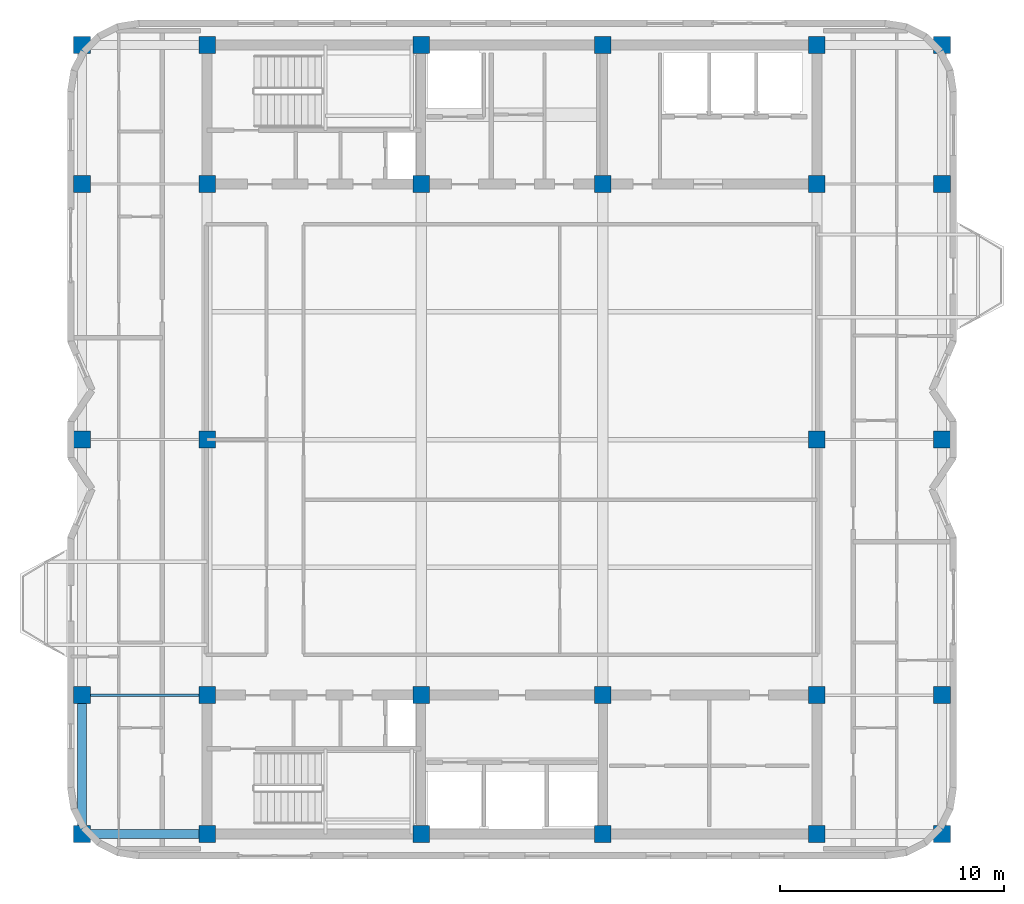
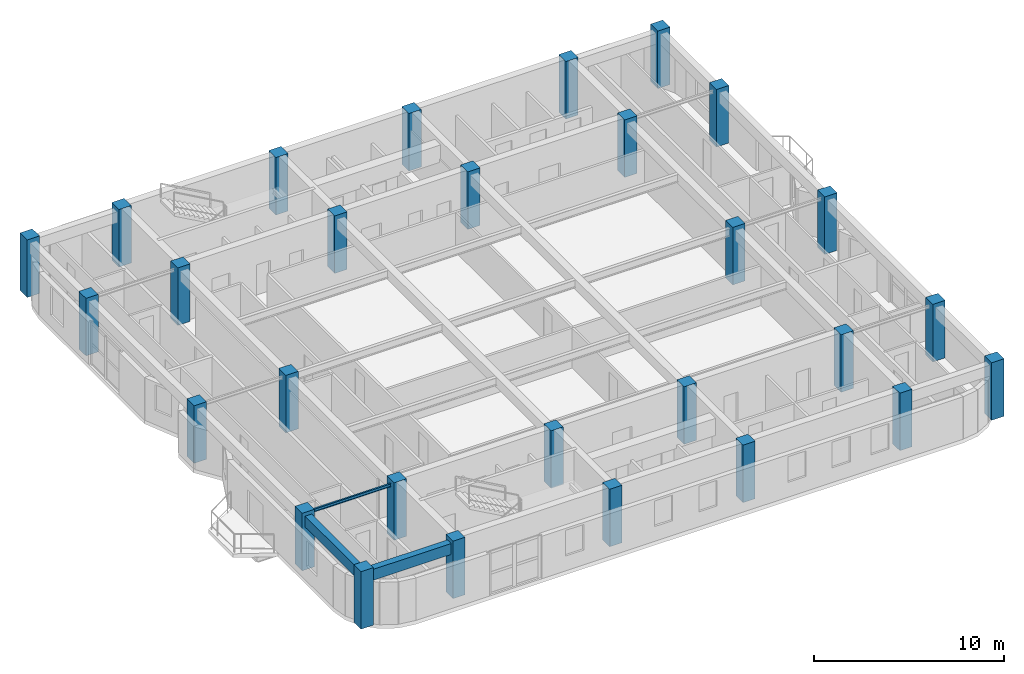
# One storey, part 1 of 11: 28 columns, 3 beams.
"""IFC4 building model written with IfcOpenShell, lengths in metres."""

import ifcopenshell
import ifcopenshell.guid

model = None  # the IFC model being written
_history = None  # IfcOwnerHistory: only IFC2X3 demands one
_inside = {}  # id of a spatial element -> (the spatial element, [elements in it])
_under = {}  # id of a project, library or spatial element -> (it, [spatial elements below it])
_declared = {}  # id of a project -> (the project, [libraries it declares])
_typed = {}  # id of a type object -> (the type object, [elements of that type])
_made_of = {}  # id of a material, layer set ... -> (it, [elements and type objects made of it])


def new_model(schema):
    """Start an empty IFC model of exactly this schema.

    Asked for "IFC4X3", IfcOpenShell would pick the latest addendum, in which some entities
    have other attributes; the version numbers below select the first issue.
    IFC2X3 requires an IfcOwnerHistory on every rooted entity: one is made here for all.
    """
    global model, _history
    if schema == "IFC4X3":
        model = ifcopenshell.file(schema_version=(4, 3, 0, 0))
    else:
        model = ifcopenshell.file(schema=schema)
    _inside.clear()
    _under.clear()
    _declared.clear()
    _typed.clear()
    _made_of.clear()
    _history = None
    if model.schema == "IFC2X3":
        org = make("IfcOrganization", Name="unknown")
        user = make(
            "IfcPersonAndOrganization",
            ThePerson=make("IfcPerson", FamilyName="unknown"),
            TheOrganization=org,
        )
        app = make(
            "IfcApplication",
            ApplicationDeveloper=org,
            Version="unknown",
            ApplicationFullName="unknown",
            ApplicationIdentifier="unknown",
        )
        _history = make(
            "IfcOwnerHistory",
            OwningUser=user,
            OwningApplication=app,
            ChangeAction="ADDED",
            CreationDate=0,
        )
    return model


def make(cls, **values):
    """One entity of the class cls with the attributes given. An attribute that is None is left unset."""
    return model.create_entity(
        cls, **{name: value for name, value in values.items() if value is not None}
    )


def rooted(cls, **values):
    """An entity with a GlobalId (a new one), such as an element, a storey or a relation."""
    return make(cls, GlobalId=ifcopenshell.guid.new(), OwnerHistory=_history, **values)


def si_unit(unit_type, name, prefix=None):
    """IfcSIUnit, for example si_unit("LENGTHUNIT", "METRE", prefix="MILLI")."""
    return make("IfcSIUnit", UnitType=unit_type, Prefix=prefix, Name=name)


def assignment(units):
    """IfcUnitAssignment: the units of a project."""
    return None if units is None else make("IfcUnitAssignment", Units=units)


def point(xyz):
    """IfcCartesianPoint."""
    return None if xyz is None else make("IfcCartesianPoint", Coordinates=xyz)


def direction(xyz):
    """IfcDirection."""
    return None if xyz is None else make("IfcDirection", DirectionRatios=xyz)


def frame(location, z_axis=None, x_axis=None):
    """IfcAxis2Placement3D, a coordinate frame: its origin and axes. An axis left out is left unset."""
    return make(
        "IfcAxis2Placement3D",
        Location=point(location),
        Axis=direction(z_axis),
        RefDirection=direction(x_axis),
    )


def frame_2d(location, x_axis=None):
    """IfcAxis2Placement2D, a coordinate frame in the plane: its origin and x axis."""
    return make(
        "IfcAxis2Placement2D", Location=point(location), RefDirection=direction(x_axis)
    )


def origin():
    """The frame at (0, 0, 0) with its axes left unset."""
    return frame((0.0, 0.0, 0.0))


def origin_2d():
    """The frame at (0, 0) in the plane with its x axis left unset."""
    return frame_2d((0.0, 0.0))


def place(relative_to, where):
    """IfcLocalPlacement: puts the frame where relative to a parent placement (None: the world)."""
    return make(
        "IfcLocalPlacement", PlacementRelTo=relative_to, RelativePlacement=where
    )


def context(
    kind, dimensions, precision=None, world=None, true_north=None, identifier=None
):
    """IfcGeometricRepresentationContext, for example the 3D "Model" context."""
    return make(
        "IfcGeometricRepresentationContext",
        ContextIdentifier=identifier,
        ContextType=kind,
        CoordinateSpaceDimension=dimensions,
        Precision=precision,
        WorldCoordinateSystem=world,
        TrueNorth=true_north,
    )


def subcontext(parent, identifier, kind, view, scale=None):
    """IfcGeometricRepresentationSubContext, for example "Body" below "Model"."""
    return make(
        "IfcGeometricRepresentationSubContext",
        ContextIdentifier=identifier,
        ContextType=kind,
        ParentContext=parent,
        TargetScale=scale,
        TargetView=view,
    )


def project(units=None, contexts=None):
    """IfcProject with its units and contexts."""
    return rooted(
        "IfcProject",
        Name="project",
        RepresentationContexts=contexts,
        UnitsInContext=assignment(units),
    )


def spatial(cls, under=None, at=None, **own):
    """A site, building, storey or space (cls), placed at a placement, below another one or the project."""
    s = rooted(cls, ObjectPlacement=at, **own)
    if under is not None:
        _under.setdefault(under.id(), (under, []))[1].append(s)
    return s


def profile(cls, at=None, kind="AREA", **sizes):
    """A parametric profile (cls). Its sizes go by their IFC names, for example OverallWidth=200.0."""
    return make(cls, ProfileType=kind, Position=at, **sizes)


def rectangle(**sizes):
    """IfcRectangleProfileDef."""
    return profile("IfcRectangleProfileDef", **sizes)


def i_section(**sizes):
    """IfcIShapeProfileDef."""
    return profile("IfcIShapeProfileDef", **sizes)


def extrude(swept, where, along, depth):
    """IfcExtrudedAreaSolid: the profile swept, set in the frame where, extruded along a direction by depth."""
    return make(
        "IfcExtrudedAreaSolid",
        SweptArea=swept,
        Position=where,
        ExtrudedDirection=direction(along),
        Depth=depth,
    )


def shape(context_of_items, identifier, shape_type, items):
    """IfcShapeRepresentation: the items that make up one representation, for example the "Body"."""
    return make(
        "IfcShapeRepresentation",
        ContextOfItems=context_of_items,
        RepresentationIdentifier=identifier,
        RepresentationType=shape_type,
        Items=items,
    )


def material(Name=None, Category=None):
    """IfcMaterial."""
    return make("IfcMaterial", Name=Name, Category=Category)


def material_profile(
    of_material, cross_section, Name=None, Category=None, Priority=None
):
    """IfcMaterialProfile: a cross section and its material."""
    return make(
        "IfcMaterialProfile",
        Name=Name,
        Material=of_material,
        Profile=cross_section,
        Priority=Priority,
        Category=Category,
    )


def profile_set(profiles, Name=None, composite=None):
    """IfcMaterialProfileSet."""
    return make(
        "IfcMaterialProfileSet",
        Name=Name,
        MaterialProfiles=profiles,
        CompositeProfile=composite,
    )


def made_of(thing, what):
    """Note that an element or type object is made of a material, layer set ...; save() writes the relation."""
    if what is not None:
        _made_of.setdefault(what.id(), (what, []))[1].append(thing)
    return thing


def type_object(cls, material=None, **own):
    """A type object (cls), such as IfcWallType, which elements share."""
    return made_of(rooted(cls, **own), material)


def element(
    cls,
    number,
    at=None,
    inside=None,
    cuts=None,
    type_object=None,
    material=None,
    context=None,
    identifier="Body",
    shape_type=None,
    held_by="IfcProductDefinitionShape",
    body=None,
    shapes=None,
    **own,
):
    """One element of the class cls, such as IfcWall. Its Tag is "e" and its number.

    at: its placement. inside: the storey or other place that contains it. cuts: it is an
    opening in that element (IfcRelVoidsElement). A single representation is given by context,
    identifier, shape_type and body (its items); several are given by shapes. held_by: the class
    of the entity that holds the representations. save() writes the other relations.
    """
    e = rooted(cls, Tag="e%d" % number, ObjectPlacement=at, **own)
    if body is not None:
        shapes = [shape(context, identifier, shape_type, body)]
    if shapes is not None:
        e.Representation = make(held_by, Representations=shapes)
    if inside is not None:
        _inside.setdefault(inside.id(), (inside, []))[1].append(e)
    if cuts is not None:
        rooted(
            "IfcRelVoidsElement", RelatingBuildingElement=cuts, RelatedOpeningElement=e
        )
    if type_object is not None:
        _typed.setdefault(type_object.id(), (type_object, []))[1].append(e)
    return made_of(e, material)


def aggregate(whole, parts):
    """IfcRelAggregates: a whole, such as a stair, and the parts it consists of."""
    return rooted("IfcRelAggregates", RelatingObject=whole, RelatedObjects=parts)


def save(model, path):
    """Write the relations noted so far, then the file.

    IfcRelAggregates (storeys below a building ...), IfcRelContainedInSpatialStructure (elements
    in a storey), IfcRelDefinesByType, IfcRelAssociatesMaterial and IfcRelDeclares: one each for
    every whole, place, type object, material and project.
    """
    for whole, parts in _under.values():
        aggregate(whole, parts)
    for where, things in _inside.values():
        rooted(
            "IfcRelContainedInSpatialStructure",
            RelatedElements=things,
            RelatingStructure=where,
        )
    for kind, things in _typed.values():
        rooted("IfcRelDefinesByType", RelatedObjects=things, RelatingType=kind)
    for what, things in _made_of.values():
        rooted("IfcRelAssociatesMaterial", RelatedObjects=things, RelatingMaterial=what)
    for by, libraries in _declared.values():
        rooted("IfcRelDeclares", RelatingContext=by, RelatedDefinitions=libraries)
    model.write(path)


model = new_model("IFC4")

# Units and contexts
model_context = context("Model", 3, precision=1e-05, world=origin(), true_north=direction((0.0, 1.0)))
body_context = subcontext(model_context, "Body", "Model", "MODEL_VIEW")
ifc_project = project(units=[si_unit("LENGTHUNIT", "METRE"), si_unit("AREAUNIT", "SQUARE_METRE"), si_unit("VOLUMEUNIT", "CUBIC_METRE"), si_unit("PLANEANGLEUNIT", "RADIAN"), si_unit("MASSUNIT", "GRAM", prefix="KILO")], contexts=[model_context])

# Site, building, storey
site_placement = place(None, origin())
site = spatial("IfcSite", under=ifc_project, at=site_placement, CompositionType="ELEMENT")
building_placement = place(site_placement, origin())
building = spatial("IfcBuilding", under=site, at=building_placement, Name="Svetorya Sky Lyceum", CompositionType="ELEMENT")
storey_placement = place(building_placement, frame((0.0, 0.0, 289.800048828125)))
storey = spatial("IfcBuildingStorey", under=building, at=storey_placement, Name="L73", CompositionType="ELEMENT", Elevation=289.800048828125)

# Columns
ifc_material_1 = material(Name="Concrete C40/50", Category="concrete")
ifc_material_profile_1 = material_profile(ifc_material_1, rectangle(XDim=0.75, YDim=0.75, at=origin_2d()), Name="RC COL 750x750")
ifc_profile_set_1 = profile_set([ifc_material_profile_1], Name="Concrete C40/50")
column_type = type_object("IfcColumnType", Name="COL-RC-750", PredefinedType="COLUMN", material=ifc_profile_set_1)
for number, where, z_axis, x_axis, name in (
    (1, (25.60009765625, 10.60009765625, 0.0), (0.0, 0.0, 1.0), (1.0, 0.0, 0.0), "L73 Core Column CS-11"),
    (2, (25.60009765625, 16.800048828125, 0.0), (0.0, 0.0, 1.0), (1.0, 0.0, 0.0), "L73 Core Column CS-12"),
    (3, (35.14990234375, 10.60009765625, 0.0), (0.0, 0.0, 1.0), (1.0, 0.0, 0.0), "L73 Core Column CS-21"),
    (4, (35.14990234375, 16.800048828125, 0.0), (0.0, 0.0, 1.0), (1.0, 0.0, 0.0), "L73 Core Column CS-22"),
    (5, (43.25, 10.60009765625, 0.0), (0.0, 0.0, 1.0), (1.0, 0.0, 0.0), "L73 Core Column CS-31"),
    (6, (43.25, 16.800048828125, 0.0), (0.0, 0.0, 1.0), (1.0, 0.0, 0.0), "L73 Core Column CS-32"),
    (7, (52.800048828125, 10.60009765625, 0.0), (0.0, 0.0, 1.0), (1.0, 0.0, 0.0), "L73 Core Column CS-41"),
    (8, (52.800048828125, 16.800048828125, 0.0), (0.0, 0.0, 1.0), (1.0, 0.0, 0.0), "L73 Core Column CS-42"),
    (9, (25.60009765625, 39.60009765625, 0.0), (0.0, 0.0, 1.0), (1.0, 0.0, 0.0), "L73 Core Column CN-11"),
    (10, (25.60009765625, 45.800048828125, 0.0), (0.0, 0.0, 1.0), (1.0, 0.0, 0.0), "L73 Core Column CN-12"),
    (11, (35.14990234375, 39.60009765625, 0.0), (0.0, 0.0, 1.0), (1.0, 0.0, 0.0), "L73 Core Column CN-21"),
    (12, (35.14990234375, 45.800048828125, 0.0), (0.0, 0.0, 1.0), (1.0, 0.0, 0.0), "L73 Core Column CN-22"),
    (13, (43.25, 39.60009765625, 0.0), (0.0, 0.0, 1.0), (1.0, 0.0, 0.0), "L73 Core Column CN-31"),
    (14, (43.25, 45.800048828125, 0.0), (0.0, 0.0, 1.0), (1.0, 0.0, 0.0), "L73 Core Column CN-32"),
    (15, (52.800048828125, 39.60009765625, 0.0), (0.0, 0.0, 1.0), (1.0, 0.0, 0.0), "L73 Core Column CN-41"),
    (16, (52.800048828125, 45.800048828125, 0.0), (0.0, 0.0, 1.0), (1.0, 0.0, 0.0), "L73 Core Column CN-42"),
    (17, (25.60009765625, 28.199951171875, 0.0), (0.0, 0.0, 1.0), (1.0, 0.0, 0.0), "L73 Core Column CM-W"),
    (18, (52.800048828125, 28.199951171875, 0.0), (0.0, 0.0, 1.0), (1.0, 0.0, 0.0), "L73 Core Column CM-E"),
    (19, (20.010009765625, 10.60009765625, 0.0), (0.0, 0.0, 1.0), (1.0, 0.0, 0.0), "L73 Perimeter Column W1"),
    (20, (58.389892578125, 10.60009765625, 0.0), (0.0, 0.0, 1.0), (1.0, 0.0, 0.0), "L73 Perimeter Column E1"),
    (21, (20.010009765625, 16.800048828125, 0.0), (0.0, 0.0, 1.0), (1.0, 0.0, 0.0), "L73 Perimeter Column W2"),
    (22, (58.389892578125, 16.800048828125, 0.0), (0.0, 0.0, 1.0), (1.0, 0.0, 0.0), "L73 Perimeter Column E2"),
    (23, (20.010009765625, 28.199951171875, 0.0), (0.0, 0.0, 1.0), (1.0, 0.0, 0.0), "L73 Perimeter Column W3"),
    (24, (58.389892578125, 28.199951171875, 0.0), (0.0, 0.0, 1.0), (1.0, 0.0, 0.0), "L73 Perimeter Column E3"),
    (25, (20.010009765625, 39.60009765625, 0.0), (0.0, 0.0, 1.0), (1.0, 0.0, 0.0), "L73 Perimeter Column W4"),
    (26, (58.389892578125, 39.60009765625, 0.0), (0.0, 0.0, 1.0), (1.0, 0.0, 0.0), "L73 Perimeter Column E4"),
    (27, (20.010009765625, 45.800048828125, 0.0), (0.0, 0.0, 1.0), (1.0, 0.0, 0.0), "L73 Perimeter Column W5"),
    (28, (58.389892578125, 45.800048828125, 0.0), (0.0, 0.0, 1.0), (1.0, 0.0, 0.0), "L73 Perimeter Column E5"),
):
    element("IfcColumn", number, at=place(storey_placement, frame(where, z_axis=z_axis, x_axis=x_axis)), inside=storey, type_object=column_type, Name=name, PredefinedType="COLUMN", context=body_context, shape_type="SweptSolid", body=[
        extrude(rectangle(XDim=0.75, YDim=0.75, at=origin_2d()), origin(), (0.0, 0.0, 1.0), 3.699951171875),
    ])

# Beams
ifc_material_2 = material(Name="Concrete C50/60", Category="concrete")
ifc_material_profile_2 = material_profile(ifc_material_2, rectangle(XDim=0.39990234375, YDim=0.699951171875, at=origin_2d()), Name="RC SPANDREL 400x700")
ifc_profile_set_2 = profile_set([ifc_material_profile_2], Name="Concrete C50/60")
beam_type_1 = type_object("IfcBeamType", Name="BM-SPN-700", PredefinedType="SPANDREL", material=ifc_profile_set_2)
beam_1_placement = place(storey_placement, frame((20.010009765625, 10.60009765625, 3.099853515625), z_axis=(1.0, 0.0, 0.0), x_axis=(0.0, 1.0, 0.0)))
element("IfcBeam", 29, at=beam_1_placement, inside=storey, type_object=beam_type_1, Name="L73 Tie Spandrel SW", PredefinedType="SPANDREL", context=body_context, shape_type="SweptSolid", body=[
    extrude(rectangle(XDim=0.39990234375, YDim=0.699951171875, at=origin_2d()), origin(), (0.0, 0.0, 1.0), 5.590087890625),
])
beam_2_placement = place(storey_placement, frame((20.010009765625, 10.60009765625, 3.099853515625), z_axis=(0.0, 1.0, 0.0), x_axis=(-1.0, 0.0, 0.0)))
element("IfcBeam", 30, at=beam_2_placement, inside=storey, type_object=beam_type_1, Name="L73 West Spandrel 1", PredefinedType="SPANDREL", context=body_context, shape_type="SweptSolid", body=[
    extrude(rectangle(XDim=0.39990234375, YDim=0.699951171875, at=origin_2d()), origin(), (0.0, 0.0, 1.0), 6.199951171875),
])
ifc_material_3 = material(Name="Steel S355", Category="steel")
ifc_material_profile_3 = material_profile(ifc_material_3, i_section(OverallWidth=0.10009765625, OverallDepth=0.199951171875, WebThickness=0.005615234375, FlangeThickness=0.008544921875, at=origin_2d()), Name="GOST 20B1")
ifc_profile_set_3 = profile_set([ifc_material_profile_3], Name="Steel S355")
beam_type_2 = type_object("IfcBeamType", Name="BM-STL-20B1", PredefinedType="JOIST", material=ifc_profile_set_3)
beam_3_placement = place(storey_placement, frame((20.010009765625, 16.800048828125, 3.349853515625), z_axis=(1.0, 0.0, 0.0), x_axis=(0.0, 1.0, 0.0)))
element("IfcBeam", 31, at=beam_3_placement, inside=storey, type_object=beam_type_2, Name="L73 West Wing Floor Joist W2", PredefinedType="JOIST", context=body_context, shape_type="SweptSolid", body=[
    extrude(i_section(OverallWidth=0.10009765625, OverallDepth=0.199951171875, WebThickness=0.005615234375, FlangeThickness=0.008544921875, at=origin_2d()), origin(), (0.0, 0.0, 1.0), 5.590087890625),
])

save(model, "model.ifc")
